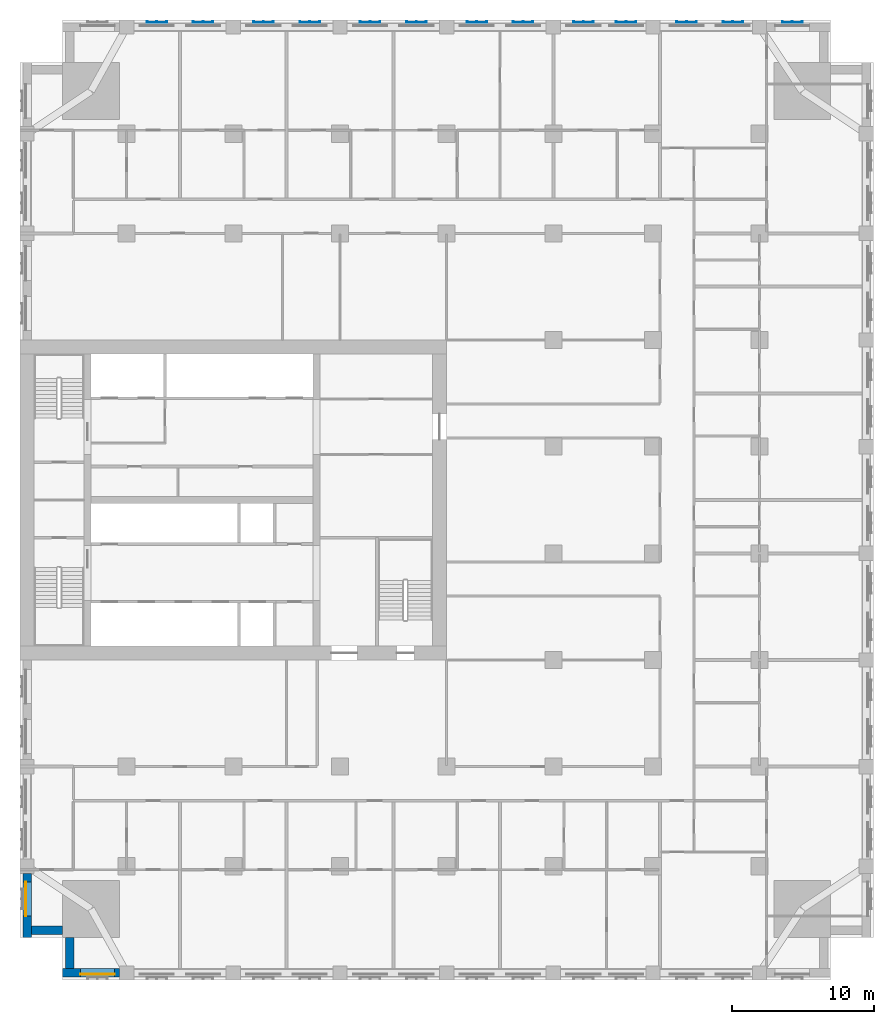
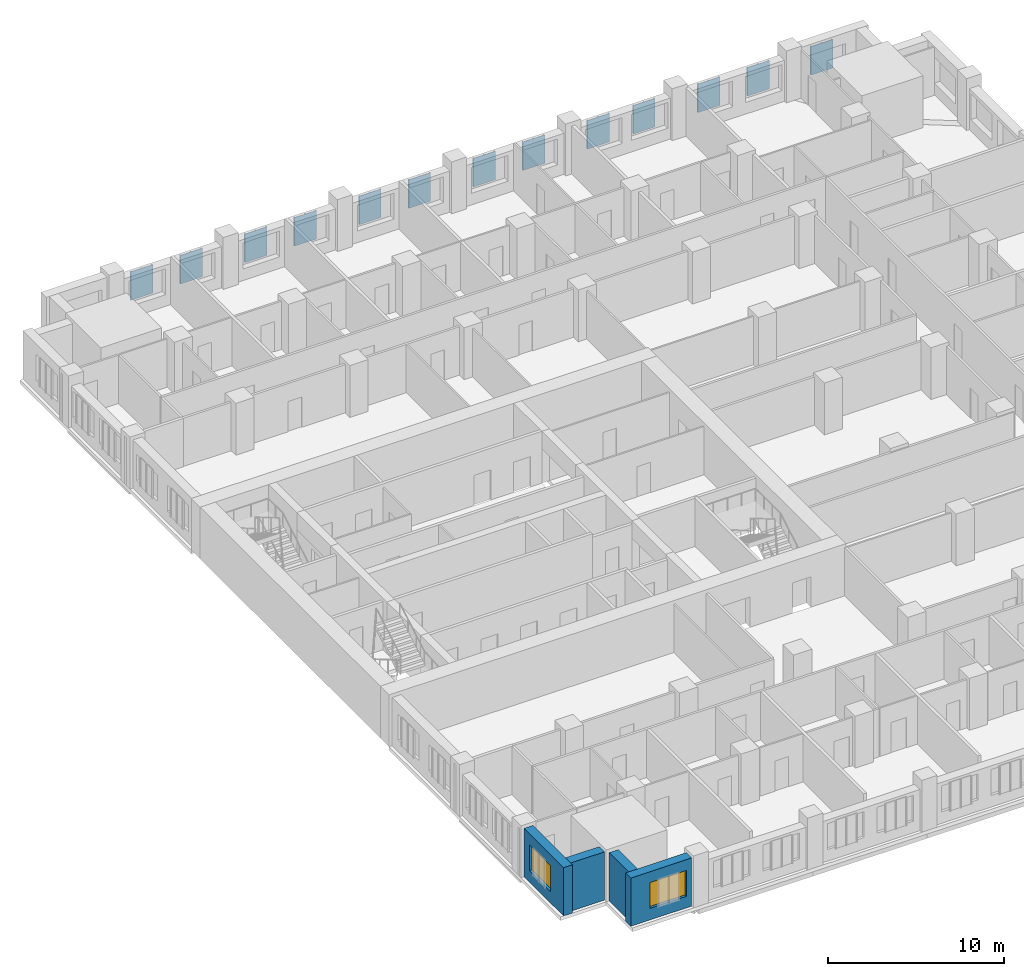
# One storey, part 3 of 14: 13 plates, 4 walls, 2 windows, 2 openings.
"""IFC4 building model written with IfcOpenShell, lengths in metres."""

from ifc_helpers import new_model, si_unit, direction, frame, frame_2d, origin, place, context, subcontext, project, spatial, polyline, rectangle, outline, extrude, material, layer, layer_set, type_object, element, fill, save


model = new_model("IFC4")

# Units and contexts
model_context = context("Model", 3, precision=1e-05, world=origin(), true_north=direction((0.0, 1.0)))
body_context = subcontext(model_context, "Body", "Model", "MODEL_VIEW")
ifc_project = project(units=[si_unit("LENGTHUNIT", "METRE"), si_unit("AREAUNIT", "SQUARE_METRE"), si_unit("VOLUMEUNIT", "CUBIC_METRE"), si_unit("PLANEANGLEUNIT", "RADIAN"), si_unit("MASSUNIT", "GRAM", prefix="KILO")], contexts=[model_context])

# Site, building, storey
site_placement = place(None, origin())
site = spatial("IfcSite", under=ifc_project, at=site_placement, CompositionType="ELEMENT")
building_placement = place(site_placement, origin())
building = spatial("IfcBuilding", under=site, at=building_placement, Name="Tamorin Gate", CompositionType="ELEMENT")
storey_placement = place(building_placement, frame((0.0, 0.0, 52.0)))
storey = spatial("IfcBuildingStorey", under=building, at=storey_placement, Name="L11", CompositionType="ELEMENT", Elevation=52.0)

# Plates
ifc_material_1 = material(Name="Perforated pale aluminium sheet", Category="aluminium")
ifc_layer_1 = layer(ifc_material_1, 0.0400390625)
ifc_layer_set_1 = layer_set([ifc_layer_1], Name="Pale metal solar screen 1440")
plate_type = type_object("IfcPlateType", Name="Pale metal solar screen 1440", PredefinedType="SHEET", material=ifc_layer_set_1)
plate_1_placement = place(storey_placement, frame((0.0, 0.0, 0.7099609375)))
element("IfcPlate", 1, at=plate_1_placement, inside=storey, type_object=plate_type, Name="Perforated solar screen", PredefinedType="SHEET", context=body_context, shape_type="SweptSolid", body=[
    extrude(outline(polyline([(85.02001953125, 104.840087890625), (85.02001953125, 104.800048828125), (84.9599609375, 104.800048828125), (84.330078125, 104.800048828125), (84.27001953125, 104.800048828125), (83.639892578125, 104.800048828125), (83.580078125, 104.800048828125), (83.580078125, 104.840087890625), (83.580078125, 104.89990234375), (83.639892578125, 104.89990234375), (83.639892578125, 104.840087890625), (84.27001953125, 104.840087890625), (84.27001953125, 104.89990234375), (84.330078125, 104.89990234375), (84.330078125, 104.840087890625), (84.9599609375, 104.840087890625), (84.9599609375, 104.89990234375), (85.02001953125, 104.89990234375), (85.02001953125, 104.840087890625)])), origin(), (0.0, 0.0, 1.0), 1.97998046875),
])
plate_2_placement = place(storey_placement, frame((0.0, 0.0, 0.7099609375)))
element("IfcPlate", 2, at=plate_2_placement, inside=storey, type_object=plate_type, Name="Perforated solar screen", PredefinedType="SHEET", context=body_context, shape_type="SweptSolid", body=[
    extrude(outline(polyline([(77.594970703125, 104.840087890625), (77.594970703125, 104.800048828125), (77.534912109375, 104.800048828125), (76.905029296875, 104.800048828125), (76.844970703125, 104.800048828125), (76.215087890625, 104.800048828125), (76.155029296875, 104.800048828125), (76.155029296875, 104.840087890625), (76.155029296875, 104.89990234375), (76.215087890625, 104.89990234375), (76.215087890625, 104.840087890625), (76.844970703125, 104.840087890625), (76.844970703125, 104.89990234375), (76.905029296875, 104.89990234375), (76.905029296875, 104.840087890625), (77.534912109375, 104.840087890625), (77.534912109375, 104.89990234375), (77.594970703125, 104.89990234375), (77.594970703125, 104.840087890625)])), origin(), (0.0, 0.0, 1.0), 1.97998046875),
])
plate_3_placement = place(storey_placement, frame((0.0, 0.0, 0.7099609375)))
element("IfcPlate", 3, at=plate_3_placement, inside=storey, type_object=plate_type, Name="Perforated solar screen", PredefinedType="SHEET", context=body_context, shape_type="SweptSolid", body=[
    extrude(outline(polyline([(80.844970703125, 104.840087890625), (80.844970703125, 104.800048828125), (80.784912109375, 104.800048828125), (80.155029296875, 104.800048828125), (80.094970703125, 104.800048828125), (79.465087890625, 104.800048828125), (79.405029296875, 104.800048828125), (79.405029296875, 104.800048828125), (79.405029296875, 104.840087890625), (79.405029296875, 104.840087890625), (79.405029296875, 104.89990234375), (79.465087890625, 104.89990234375), (79.465087890625, 104.840087890625), (80.094970703125, 104.840087890625), (80.094970703125, 104.89990234375), (80.155029296875, 104.89990234375), (80.155029296875, 104.840087890625), (80.784912109375, 104.840087890625), (80.784912109375, 104.89990234375), (80.844970703125, 104.89990234375), (80.844970703125, 104.840087890625)])), origin(), (0.0, 0.0, 1.0), 1.97998046875),
])
plate_4_placement = place(storey_placement, frame((0.0, 0.0, 0.7099609375)))
element("IfcPlate", 4, at=plate_4_placement, inside=storey, type_object=plate_type, Name="Perforated solar screen", PredefinedType="SHEET", context=body_context, shape_type="SweptSolid", body=[
    extrude(outline(polyline([(70.344970703125, 104.840087890625), (70.344970703125, 104.800048828125), (70.284912109375, 104.800048828125), (69.655029296875, 104.800048828125), (69.594970703125, 104.800048828125), (68.965087890625, 104.800048828125), (68.905029296875, 104.800048828125), (68.905029296875, 104.840087890625), (68.905029296875, 104.89990234375), (68.965087890625, 104.89990234375), (68.965087890625, 104.840087890625), (69.594970703125, 104.840087890625), (69.594970703125, 104.89990234375), (69.655029296875, 104.89990234375), (69.655029296875, 104.840087890625), (70.284912109375, 104.840087890625), (70.284912109375, 104.89990234375), (70.344970703125, 104.89990234375), (70.344970703125, 104.840087890625)])), origin(), (0.0, 0.0, 1.0), 1.97998046875),
])
plate_5_placement = place(storey_placement, frame((0.0, 0.0, 0.7099609375)))
element("IfcPlate", 5, at=plate_5_placement, inside=storey, type_object=plate_type, Name="Perforated solar screen", PredefinedType="SHEET", context=body_context, shape_type="SweptSolid", body=[
    extrude(outline(polyline([(73.344970703125, 104.840087890625), (73.344970703125, 104.800048828125), (73.284912109375, 104.800048828125), (72.655029296875, 104.800048828125), (72.594970703125, 104.800048828125), (71.965087890625, 104.800048828125), (71.905029296875, 104.800048828125), (71.905029296875, 104.840087890625), (71.905029296875, 104.89990234375), (71.965087890625, 104.89990234375), (71.965087890625, 104.840087890625), (72.594970703125, 104.840087890625), (72.594970703125, 104.89990234375), (72.655029296875, 104.89990234375), (72.655029296875, 104.840087890625), (73.284912109375, 104.840087890625), (73.284912109375, 104.89990234375), (73.344970703125, 104.89990234375), (73.344970703125, 104.840087890625)])), origin(), (0.0, 0.0, 1.0), 1.97998046875),
])
plate_6_placement = place(storey_placement, frame((0.0, 0.0, 0.7099609375)))
element("IfcPlate", 6, at=plate_6_placement, inside=storey, type_object=plate_type, Name="Perforated solar screen", PredefinedType="SHEET", context=body_context, shape_type="SweptSolid", body=[
    extrude(outline(polyline([(62.844970703125, 104.840087890625), (62.844970703125, 104.800048828125), (62.784912109375, 104.800048828125), (62.155029296875, 104.800048828125), (62.094970703125, 104.800048828125), (61.465087890625, 104.800048828125), (61.405029296875, 104.800048828125), (61.405029296875, 104.840087890625), (61.405029296875, 104.89990234375), (61.465087890625, 104.89990234375), (61.465087890625, 104.840087890625), (62.094970703125, 104.840087890625), (62.094970703125, 104.89990234375), (62.155029296875, 104.89990234375), (62.155029296875, 104.840087890625), (62.784912109375, 104.840087890625), (62.784912109375, 104.89990234375), (62.844970703125, 104.89990234375), (62.844970703125, 104.840087890625)])), origin(), (0.0, 0.0, 1.0), 1.97998046875),
])
plate_7_placement = place(storey_placement, frame((0.0, 0.0, 0.7099609375)))
element("IfcPlate", 7, at=plate_7_placement, inside=storey, type_object=plate_type, Name="Perforated solar screen", PredefinedType="SHEET", context=body_context, shape_type="SweptSolid", body=[
    extrude(outline(polyline([(66.094970703125, 104.840087890625), (66.094970703125, 104.800048828125), (66.034912109375, 104.800048828125), (65.405029296875, 104.800048828125), (65.344970703125, 104.800048828125), (64.715087890625, 104.800048828125), (64.655029296875, 104.800048828125), (64.655029296875, 104.840087890625), (64.655029296875, 104.89990234375), (64.715087890625, 104.89990234375), (64.715087890625, 104.840087890625), (65.344970703125, 104.840087890625), (65.344970703125, 104.89990234375), (65.405029296875, 104.89990234375), (65.405029296875, 104.840087890625), (66.034912109375, 104.840087890625), (66.034912109375, 104.89990234375), (66.094970703125, 104.89990234375), (66.094970703125, 104.840087890625)])), origin(), (0.0, 0.0, 1.0), 1.97998046875),
])
plate_8_placement = place(storey_placement, frame((0.0, 0.0, 0.7099609375)))
element("IfcPlate", 8, at=plate_8_placement, inside=storey, type_object=plate_type, Name="Perforated solar screen", PredefinedType="SHEET", context=body_context, shape_type="SweptSolid", body=[
    extrude(outline(polyline([(55.344970703125, 104.840087890625), (55.344970703125, 104.800048828125), (55.284912109375, 104.800048828125), (54.655029296875, 104.800048828125), (54.594970703125, 104.800048828125), (53.965087890625, 104.800048828125), (53.905029296875, 104.800048828125), (53.905029296875, 104.840087890625), (53.905029296875, 104.89990234375), (53.965087890625, 104.89990234375), (53.965087890625, 104.840087890625), (54.594970703125, 104.840087890625), (54.594970703125, 104.89990234375), (54.655029296875, 104.89990234375), (54.655029296875, 104.840087890625), (55.284912109375, 104.840087890625), (55.284912109375, 104.89990234375), (55.344970703125, 104.89990234375), (55.344970703125, 104.840087890625)])), origin(), (0.0, 0.0, 1.0), 1.97998046875),
])
plate_9_placement = place(storey_placement, frame((0.0, 0.0, 0.7099609375)))
element("IfcPlate", 9, at=plate_9_placement, inside=storey, type_object=plate_type, Name="Perforated solar screen", PredefinedType="SHEET", context=body_context, shape_type="SweptSolid", body=[
    extrude(outline(polyline([(58.594970703125, 104.840087890625), (58.594970703125, 104.800048828125), (58.534912109375, 104.800048828125), (57.905029296875, 104.800048828125), (57.844970703125, 104.800048828125), (57.215087890625, 104.800048828125), (57.155029296875, 104.800048828125), (57.155029296875, 104.840087890625), (57.155029296875, 104.89990234375), (57.215087890625, 104.89990234375), (57.215087890625, 104.840087890625), (57.844970703125, 104.840087890625), (57.844970703125, 104.89990234375), (57.905029296875, 104.89990234375), (57.905029296875, 104.840087890625), (58.534912109375, 104.840087890625), (58.534912109375, 104.89990234375), (58.594970703125, 104.89990234375), (58.594970703125, 104.840087890625)])), origin(), (0.0, 0.0, 1.0), 1.97998046875),
])
plate_10_placement = place(storey_placement, frame((0.0, 0.0, 0.7099609375)))
element("IfcPlate", 10, at=plate_10_placement, inside=storey, type_object=plate_type, Name="Perforated solar screen", PredefinedType="SHEET", context=body_context, shape_type="SweptSolid", body=[
    extrude(outline(polyline([(47.844970703125, 104.840087890625), (47.844970703125, 104.800048828125), (47.784912109375, 104.800048828125), (47.155029296875, 104.800048828125), (47.094970703125, 104.800048828125), (46.465087890625, 104.800048828125), (46.405029296875, 104.800048828125), (46.405029296875, 104.840087890625), (46.405029296875, 104.89990234375), (46.465087890625, 104.89990234375), (46.465087890625, 104.840087890625), (47.094970703125, 104.840087890625), (47.094970703125, 104.89990234375), (47.155029296875, 104.89990234375), (47.155029296875, 104.840087890625), (47.784912109375, 104.840087890625), (47.784912109375, 104.89990234375), (47.844970703125, 104.89990234375), (47.844970703125, 104.840087890625)])), origin(), (0.0, 0.0, 1.0), 1.97998046875),
])
plate_11_placement = place(storey_placement, frame((0.0, 0.0, 0.7099609375)))
element("IfcPlate", 11, at=plate_11_placement, inside=storey, type_object=plate_type, Name="Perforated solar screen", PredefinedType="SHEET", context=body_context, shape_type="SweptSolid", body=[
    extrude(outline(polyline([(51.094970703125, 104.840087890625), (51.094970703125, 104.800048828125), (51.034912109375, 104.800048828125), (50.405029296875, 104.800048828125), (50.344970703125, 104.800048828125), (49.715087890625, 104.800048828125), (49.655029296875, 104.800048828125), (49.655029296875, 104.840087890625), (49.655029296875, 104.89990234375), (49.715087890625, 104.89990234375), (49.715087890625, 104.840087890625), (50.344970703125, 104.840087890625), (50.344970703125, 104.89990234375), (50.405029296875, 104.89990234375), (50.405029296875, 104.840087890625), (51.034912109375, 104.840087890625), (51.034912109375, 104.89990234375), (51.094970703125, 104.89990234375), (51.094970703125, 104.840087890625)])), origin(), (0.0, 0.0, 1.0), 1.97998046875),
])
plate_12_placement = place(storey_placement, frame((0.0, 0.0, 0.7099609375)))
element("IfcPlate", 12, at=plate_12_placement, inside=storey, type_object=plate_type, Name="Perforated solar screen", PredefinedType="SHEET", context=body_context, shape_type="SweptSolid", body=[
    extrude(outline(polyline([(40.344970703125, 104.840087890625), (40.344970703125, 104.800048828125), (40.284912109375, 104.800048828125), (39.655029296875, 104.800048828125), (39.594970703125, 104.800048828125), (38.965087890625, 104.800048828125), (38.905029296875, 104.800048828125), (38.905029296875, 104.840087890625), (38.905029296875, 104.89990234375), (38.965087890625, 104.89990234375), (38.965087890625, 104.840087890625), (39.594970703125, 104.840087890625), (39.594970703125, 104.89990234375), (39.655029296875, 104.89990234375), (39.655029296875, 104.840087890625), (40.284912109375, 104.840087890625), (40.284912109375, 104.89990234375), (40.344970703125, 104.89990234375), (40.344970703125, 104.840087890625)])), origin(), (0.0, 0.0, 1.0), 1.97998046875),
])
plate_13_placement = place(storey_placement, frame((0.0, 0.0, 0.7099609375)))
element("IfcPlate", 13, at=plate_13_placement, inside=storey, type_object=plate_type, Name="Perforated solar screen", PredefinedType="SHEET", context=body_context, shape_type="SweptSolid", body=[
    extrude(outline(polyline([(43.594970703125, 104.840087890625), (43.594970703125, 104.800048828125), (43.534912109375, 104.800048828125), (42.905029296875, 104.800048828125), (42.844970703125, 104.800048828125), (42.215087890625, 104.800048828125), (42.155029296875, 104.800048828125), (42.155029296875, 104.840087890625), (42.155029296875, 104.89990234375), (42.215087890625, 104.89990234375), (42.215087890625, 104.840087890625), (42.844970703125, 104.840087890625), (42.844970703125, 104.89990234375), (42.905029296875, 104.89990234375), (42.905029296875, 104.840087890625), (43.534912109375, 104.840087890625), (43.534912109375, 104.89990234375), (43.594970703125, 104.89990234375), (43.594970703125, 104.840087890625)])), origin(), (0.0, 0.0, 1.0), 1.97998046875),
])

# Wall, opening, window
ifc_material_2 = material(Name="Precast concrete C40/50", Category="concrete")
ifc_layer_2 = layer(ifc_material_2, 0.60009765625)
ifc_layer_set_2 = layer_set([ifc_layer_2], Name="Precast concrete C40/50")
wall_type = type_object("IfcWallType", Name="Board-marked concrete facade panel 600", PredefinedType="SOLIDWALL", material=ifc_layer_set_2)
wall_1_placement = place(storey_placement, frame((33.0, 38.0, 0.0), z_axis=(0.0, 0.0, 1.0), x_axis=(1.0, 0.0, 0.0)))
wall_1 = element("IfcWall", 14, at=wall_1_placement, inside=storey, type_object=wall_type, Name="Facade panel", PredefinedType="SOLIDWALL", context=body_context, shape_type="SweptSolid", body=[
    extrude(rectangle(XDim=4.0, YDim=0.60009765625, at=frame_2d((2.0, 0.0))), origin(), (0.0, 0.0, 1.0), 3.35009765625),
])
opening_1_placement = place(wall_1_placement, frame((1.25, 0.0, 0.800048828125)))
opening_1 = element("IfcOpeningElement", 15, at=opening_1_placement, cuts=wall_1, Name="Opening WN1", PredefinedType="OPENING", context=body_context, shape_type="SweptSolid", body=[
    extrude(rectangle(XDim=2.39990234375, YDim=1.800048828125, at=frame_2d((1.199951171875, 0.89990234375))), frame((0.0, 0.31005859375, 0.0), z_axis=(0.0, -1.0, 0.0), x_axis=(1.0, 0.0, 0.0)), (0.0, 0.0, 1.0), 0.6201171875),
])
ifc_material_3 = material(Name="Clear glass in aluminium frame", Category="aluminium")
window_type = type_object("IfcWindowType", Name="Deep-set window 2400x1800", PartitioningType="SINGLE_PANEL", PredefinedType="WINDOW", material=ifc_material_3)
window_1_placement = place(opening_1_placement, origin())
window_1 = element("IfcWindow", 16, at=window_1_placement, inside=storey, type_object=window_type, Name="Deep-set window", OverallHeight=1.800048828125, OverallWidth=2.39990234375, PartitioningType="SINGLE_PANEL", PredefinedType="WINDOW", context=body_context, shape_type="SweptSolid", body=[
    extrude(rectangle(XDim=2.39990234375, YDim=1.800048828125, at=frame_2d((1.199951171875, 0.89990234375))), frame((0.0, -0.070068359375, 0.0), z_axis=(0.0, -1.0, 0.0), x_axis=(1.0, 0.0, 0.0)), (0.0, 0.0, 1.0), 0.06005859375),
])
fill(opening_1, window_1)

wall_2_placement = place(storey_placement, frame((30.5, 45.0, 0.0), z_axis=(0.0, 0.0, 1.0), x_axis=(0.0, -1.0, 0.0)))
wall_2 = element("IfcWall", 17, at=wall_2_placement, inside=storey, type_object=wall_type, Name="Facade panel", PredefinedType="SOLIDWALL", context=body_context, shape_type="SweptSolid", body=[
    extrude(rectangle(XDim=4.5, YDim=0.60009765625, at=frame_2d((2.25, 0.0))), origin(), (0.0, 0.0, 1.0), 3.35009765625),
])
opening_2_placement = place(wall_2_placement, frame((0.60009765625, 0.0, 0.800048828125)))
opening_2 = element("IfcOpeningElement", 18, at=opening_2_placement, cuts=wall_2, Name="Opening WN1", PredefinedType="OPENING", context=body_context, shape_type="SweptSolid", body=[
    extrude(rectangle(XDim=2.39990234375, YDim=1.800048828125, at=frame_2d((1.199951171875, 0.89990234375))), frame((0.0, 0.31005859375, 0.0), z_axis=(0.0, -1.0, 0.0), x_axis=(1.0, 0.0, 0.0)), (0.0, 0.0, 1.0), 0.6201171875),
])
window_2_placement = place(opening_2_placement, origin())
window_2 = element("IfcWindow", 19, at=window_2_placement, inside=storey, type_object=window_type, Name="Deep-set window", OverallHeight=1.800048828125, OverallWidth=2.39990234375, PartitioningType="SINGLE_PANEL", PredefinedType="WINDOW", context=body_context, shape_type="SweptSolid", body=[
    extrude(rectangle(XDim=2.39990234375, YDim=1.800048828125, at=frame_2d((1.199951171875, 0.89990234375))), frame((0.0, -0.070068359375, 0.0), z_axis=(0.0, -1.0, 0.0), x_axis=(1.0, 0.0, 0.0)), (0.0, 0.0, 1.0), 0.06005859375),
])
fill(opening_2, window_2)

# Walls
for number, where, z_axis, x_axis, name in (
    (20, (30.800048828125, 41.0, 0.0), (0.0, 0.0, 1.0), (1.0, 0.0, 0.0), "Facade panel"),
    (21, (33.5, 40.5, 0.0), (0.0, 0.0, 1.0), (0.0, -1.0, 0.0), "Facade panel"),
):
    element("IfcWall", number, at=place(storey_placement, frame(where, z_axis=z_axis, x_axis=x_axis)), inside=storey, type_object=wall_type, Name=name, PredefinedType="SOLIDWALL", context=body_context, shape_type="SweptSolid", body=[
        extrude(rectangle(XDim=2.199951171875, YDim=0.60009765625, at=frame_2d((1.10009765625, 0.0))), origin(), (0.0, 0.0, 1.0), 3.35009765625),
    ])

save(model, "model.ifc")
